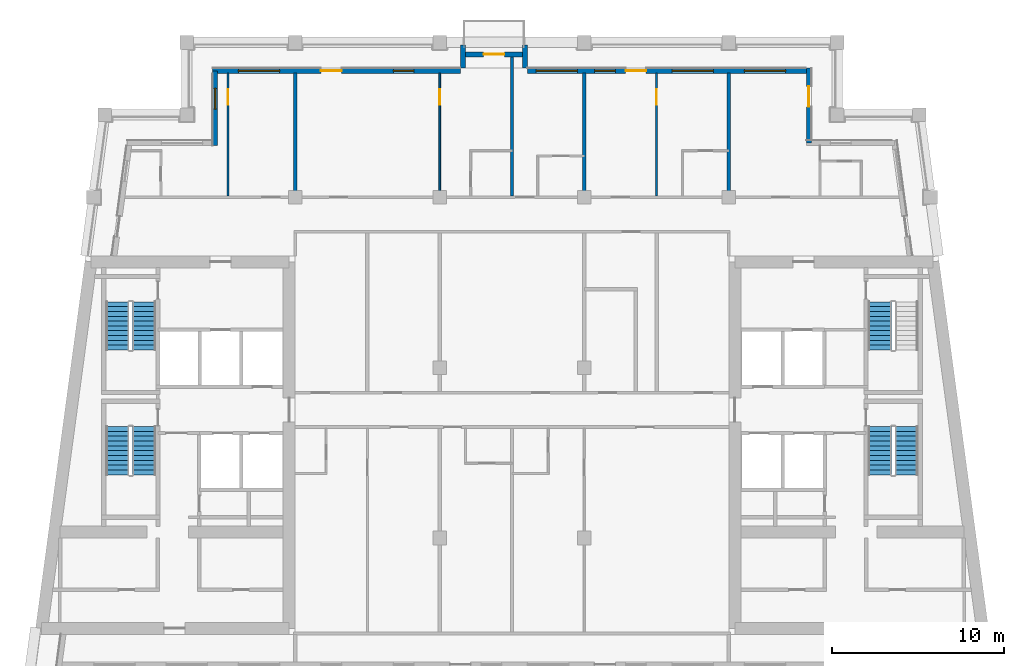
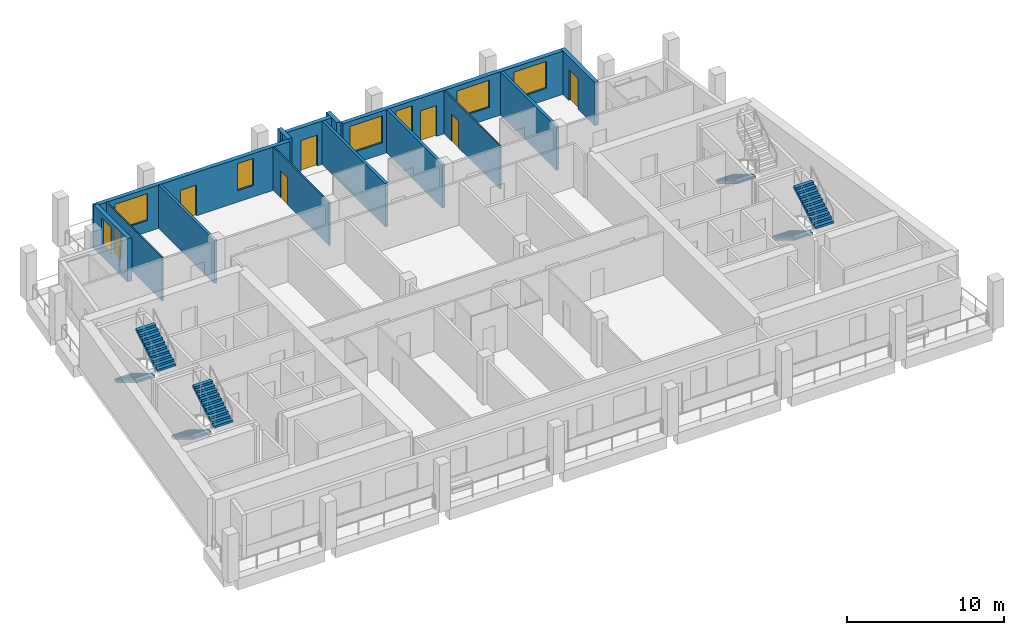
# One storey, part 6 of 14: 14 walls, 7 doors, 7 stair flights, 7 windows, 14 openings, 4 elements without a shape of their own.
"""IFC4 building model written with IfcOpenShell, lengths in metres."""

from ifc_helpers import new_model, si_unit, direction, frame, frame_2d, origin, place, context, subcontext, project, spatial, polyline, rectangle, outline, extrude, material, layer, layer_set, type_object, element, fill, aggregate, save


model = new_model("IFC4")

# Units and contexts
model_context = context("Model", 3, precision=1e-05, world=origin(), true_north=direction((0.0, 1.0)))
body_context = subcontext(model_context, "Body", "Model", "MODEL_VIEW")
ifc_project = project(units=[si_unit("LENGTHUNIT", "METRE"), si_unit("AREAUNIT", "SQUARE_METRE"), si_unit("VOLUMEUNIT", "CUBIC_METRE"), si_unit("PLANEANGLEUNIT", "RADIAN"), si_unit("MASSUNIT", "GRAM", prefix="KILO")], contexts=[model_context])

# Site, building, storey
site_placement = place(None, origin())
site = spatial("IfcSite", under=ifc_project, at=site_placement, CompositionType="ELEMENT")
building_placement = place(site_placement, origin())
building = spatial("IfcBuilding", under=site, at=building_placement, Name="Candeia Pilgrim Tower and Theatre", CompositionType="ELEMENT")
storey_placement = place(building_placement, frame((0.0, 0.0, 266.39990234375)))
storey = spatial("IfcBuildingStorey", under=building, at=storey_placement, Name="L64", CompositionType="ELEMENT", Elevation=266.39990234375)

# Wall, opening, door
ifc_material_1 = material(Name="Ceramic block masonry", Category="masonry")
ifc_layer_1 = layer(ifc_material_1, 0.300048828125)
ifc_layer_set_1 = layer_set([ifc_layer_1], Name="EW1 glazing-line wall 300")
wall_type_1 = type_object("IfcWallType", Name="EW1 glazing-line wall 300", PredefinedType="SOLIDWALL", material=ifc_layer_set_1)
wall_1_placement = place(storey_placement, frame((130.64990234375, 138.949951171875, 0.0), z_axis=(0.0, 0.0, 1.0), x_axis=(0.0, 1.0, 0.0)))
wall_1 = element("IfcWall", 1, at=wall_1_placement, inside=storey, type_object=wall_type_1, Name="External wall L64-4.0", PredefinedType="SOLIDWALL", context=body_context, shape_type="SweptSolid", body=[
    extrude(rectangle(XDim=4.35009765625, YDim=0.300048828125, at=frame_2d((2.175048828125, 0.0))), origin(), (0.0, 0.0, 1.0), 3.380126953125),
])
opening_1_placement = place(wall_1_placement, frame((2.10009765625, 0.0, 0.0)))
opening_1 = element("IfcOpeningElement", 2, at=opening_1_placement, cuts=wall_1, Name="Opening L64-ED608", PredefinedType="OPENING", context=body_context, shape_type="SweptSolid", body=[
    extrude(rectangle(XDim=1.199951171875, YDim=2.39990234375, at=frame_2d((0.60009765625, 1.199951171875))), frame((0.0, 0.16015625, 0.0), z_axis=(0.0, -1.0, 0.0), x_axis=(1.0, 0.0, 0.0)), (0.0, 0.0, 1.0), 0.320068359375),
])
ifc_material_2 = material(Name="Aluminium framed glazed door", Category="aluminium")
door_type_1 = type_object("IfcDoorType", Name="Loggia door 1200x2400", OperationType="DOUBLE_DOOR_SINGLE_SWING", PredefinedType="DOOR", material=ifc_material_2)
door_1_placement = place(opening_1_placement, origin())
door_1 = element("IfcDoor", 3, at=door_1_placement, inside=storey, type_object=door_type_1, Name="Loggia door L64-ED608", OperationType="DOUBLE_DOOR_SINGLE_SWING", OverallHeight=2.39990234375, OverallWidth=1.199951171875, PredefinedType="DOOR", context=body_context, shape_type="SweptSolid", body=[
    extrude(rectangle(XDim=1.199951171875, YDim=2.39990234375, at=frame_2d((0.60009765625, 1.199951171875))), frame((0.0, 0.02490234375, 0.0), z_axis=(0.0, -1.0, 0.0), x_axis=(1.0, 0.0, 0.0)), (0.0, 0.0, 1.0), 0.050048828125),
])
fill(opening_1, door_1)

# Wall, openings, door, windows
wall_2_placement = place(storey_placement, frame((130.64990234375, 143.14990234375, 0.0), z_axis=(0.0, 0.0, 1.0), x_axis=(-1.0, 0.0, 0.0)))
wall_2 = element("IfcWall", 4, at=wall_2_placement, inside=storey, type_object=wall_type_1, Name="External wall L64-5.0", PredefinedType="SOLIDWALL", context=body_context, shape_type="SweptSolid", body=[
    extrude(rectangle(XDim=16.349853515625, YDim=0.300048828125, at=frame_2d((8.1748046875, 0.0))), origin(), (0.0, 0.0, 1.0), 3.380126953125),
])
opening_2_placement = place(wall_2_placement, frame((1.35009765625, 0.0, 0.89990234375)))
opening_2 = element("IfcOpeningElement", 5, at=opening_2_placement, cuts=wall_2, Name="Opening W-A", PredefinedType="OPENING", context=body_context, shape_type="SweptSolid", body=[
    extrude(rectangle(XDim=2.39990234375, YDim=2.10009765625, at=frame_2d((1.199951171875, 1.050048828125))), frame((0.0, 0.16015625, 0.0), z_axis=(0.0, -1.0, 0.0), x_axis=(1.0, 0.0, 0.0)), (0.0, 0.0, 1.0), 0.320068359375),
])
opening_3_placement = place(wall_2_placement, frame((5.550048828125, 0.0, 0.89990234375)))
opening_3 = element("IfcOpeningElement", 6, at=opening_3_placement, cuts=wall_2, Name="Opening W-A", PredefinedType="OPENING", context=body_context, shape_type="SweptSolid", body=[
    extrude(rectangle(XDim=2.39990234375, YDim=2.10009765625, at=frame_2d((1.199951171875, 1.050048828125))), frame((0.0, 0.16015625, 0.0), z_axis=(0.0, -1.0, 0.0), x_axis=(1.0, 0.0, 0.0)), (0.0, 0.0, 1.0), 0.320068359375),
])
opening_4_placement = place(wall_2_placement, frame((9.449951171875, 0.0, 0.0)))
opening_4 = element("IfcOpeningElement", 7, at=opening_4_placement, cuts=wall_2, Name="Opening L64-ED609", PredefinedType="OPENING", context=body_context, shape_type="SweptSolid", body=[
    extrude(rectangle(XDim=1.199951171875, YDim=2.39990234375, at=frame_2d((0.60009765625, 1.199951171875))), frame((0.0, 0.16015625, 0.0), z_axis=(0.0, -1.0, 0.0), x_axis=(1.0, 0.0, 0.0)), (0.0, 0.0, 1.0), 0.320068359375),
])
opening_5_placement = place(wall_2_placement, frame((11.25, 0.0, 0.89990234375)))
opening_5 = element("IfcOpeningElement", 8, at=opening_5_placement, cuts=wall_2, Name="Opening W-B", PredefinedType="OPENING", context=body_context, shape_type="SweptSolid", body=[
    extrude(rectangle(XDim=1.199951171875, YDim=2.10009765625, at=frame_2d((0.60009765625, 1.050048828125))), frame((0.0, 0.16015625, 0.0), z_axis=(0.0, -1.0, 0.0), x_axis=(1.0, 0.0, 0.0)), (0.0, 0.0, 1.0), 0.320068359375),
])
opening_6_placement = place(wall_2_placement, frame((13.449951171875, 0.0, 0.89990234375)))
opening_6 = element("IfcOpeningElement", 9, at=opening_6_placement, cuts=wall_2, Name="Opening W-A", PredefinedType="OPENING", context=body_context, shape_type="SweptSolid", body=[
    extrude(rectangle(XDim=2.39990234375, YDim=2.10009765625, at=frame_2d((1.199951171875, 1.050048828125))), frame((0.0, 0.16015625, 0.0), z_axis=(0.0, -1.0, 0.0), x_axis=(1.0, 0.0, 0.0)), (0.0, 0.0, 1.0), 0.320068359375),
])
door_2_placement = place(opening_4_placement, origin())
door_2 = element("IfcDoor", 10, at=door_2_placement, inside=storey, type_object=door_type_1, Name="Loggia door L64-ED609", OperationType="DOUBLE_DOOR_SINGLE_SWING", OverallHeight=2.39990234375, OverallWidth=1.199951171875, PredefinedType="DOOR", context=body_context, shape_type="SweptSolid", body=[
    extrude(rectangle(XDim=1.199951171875, YDim=2.39990234375, at=frame_2d((0.60009765625, 1.199951171875))), frame((0.0, 0.02490234375, 0.0), z_axis=(0.0, -1.0, 0.0), x_axis=(1.0, 0.0, 0.0)), (0.0, 0.0, 1.0), 0.050048828125),
])
fill(opening_4, door_2)
ifc_material_3 = material(Name="Aluminium framed double glazing", Category="aluminium")
window_type_1 = type_object("IfcWindowType", Name="W-A window 2400x2100", PartitioningType="DOUBLE_PANEL_VERTICAL", PredefinedType="WINDOW", material=ifc_material_3)
window_1_placement = place(opening_2_placement, origin())
window_1 = element("IfcWindow", 11, at=window_1_placement, inside=storey, type_object=window_type_1, Name="Window W-A L64", OverallHeight=2.10009765625, OverallWidth=2.39990234375, PartitioningType="SINGLE_PANEL", PredefinedType="WINDOW", context=body_context, shape_type="SweptSolid", body=[
    extrude(rectangle(XDim=2.39990234375, YDim=2.10009765625, at=frame_2d((1.199951171875, 1.050048828125))), frame((0.0, 0.030029296875, 0.0), z_axis=(0.0, -1.0, 0.0), x_axis=(1.0, 0.0, 0.0)), (0.0, 0.0, 1.0), 0.06005859375),
])
fill(opening_2, window_1)
window_2_placement = place(opening_3_placement, origin())
window_2 = element("IfcWindow", 12, at=window_2_placement, inside=storey, type_object=window_type_1, Name="Window W-A L64", OverallHeight=2.10009765625, OverallWidth=2.39990234375, PartitioningType="SINGLE_PANEL", PredefinedType="WINDOW", context=body_context, shape_type="SweptSolid", body=[
    extrude(rectangle(XDim=2.39990234375, YDim=2.10009765625, at=frame_2d((1.199951171875, 1.050048828125))), frame((0.0, 0.030029296875, 0.0), z_axis=(0.0, -1.0, 0.0), x_axis=(1.0, 0.0, 0.0)), (0.0, 0.0, 1.0), 0.06005859375),
])
fill(opening_3, window_2)
window_3_placement = place(opening_6_placement, origin())
window_3 = element("IfcWindow", 13, at=window_3_placement, inside=storey, type_object=window_type_1, Name="Window W-A L64", OverallHeight=2.10009765625, OverallWidth=2.39990234375, PartitioningType="SINGLE_PANEL", PredefinedType="WINDOW", context=body_context, shape_type="SweptSolid", body=[
    extrude(rectangle(XDim=2.39990234375, YDim=2.10009765625, at=frame_2d((1.199951171875, 1.050048828125))), frame((0.0, 0.030029296875, 0.0), z_axis=(0.0, -1.0, 0.0), x_axis=(1.0, 0.0, 0.0)), (0.0, 0.0, 1.0), 0.06005859375),
])
fill(opening_6, window_3)
window_type_2 = type_object("IfcWindowType", Name="W-B window 1200x2100", PartitioningType="SINGLE_PANEL", PredefinedType="WINDOW", material=ifc_material_3)
window_4_placement = place(opening_5_placement, origin())
window_4 = element("IfcWindow", 14, at=window_4_placement, inside=storey, type_object=window_type_2, Name="Window W-B L64", OverallHeight=2.10009765625, OverallWidth=1.199951171875, PartitioningType="SINGLE_PANEL", PredefinedType="WINDOW", context=body_context, shape_type="SweptSolid", body=[
    extrude(rectangle(XDim=1.199951171875, YDim=2.10009765625, at=frame_2d((0.60009765625, 1.050048828125))), frame((0.0, 0.030029296875, 0.0), z_axis=(0.0, -1.0, 0.0), x_axis=(1.0, 0.0, 0.0)), (0.0, 0.0, 1.0), 0.06005859375),
])
fill(opening_5, window_4)

wall_3_placement = place(storey_placement, frame((110.39990234375, 143.14990234375, 0.0), z_axis=(0.0, 0.0, 1.0), x_axis=(-1.0, 0.0, 0.0)))
wall_3 = element("IfcWall", 15, at=wall_3_placement, inside=storey, type_object=wall_type_1, Name="External wall L64-5.1", PredefinedType="SOLIDWALL", context=body_context, shape_type="SweptSolid", body=[
    extrude(rectangle(XDim=14.39990234375, YDim=0.300048828125, at=frame_2d((7.199951171875, 0.0))), origin(), (0.0, 0.0, 1.0), 3.380126953125),
])
opening_7_placement = place(wall_3_placement, frame((2.699951171875, 0.0, 0.89990234375)))
opening_7 = element("IfcOpeningElement", 16, at=opening_7_placement, cuts=wall_3, Name="Opening W-B", PredefinedType="OPENING", context=body_context, shape_type="SweptSolid", body=[
    extrude(rectangle(XDim=1.199951171875, YDim=2.10009765625, at=frame_2d((0.60009765625, 1.050048828125))), frame((0.0, 0.16015625, 0.0), z_axis=(0.0, -1.0, 0.0), x_axis=(1.0, 0.0, 0.0)), (0.0, 0.0, 1.0), 0.320068359375),
])
opening_8_placement = place(wall_3_placement, frame((6.89990234375, 0.0, 0.0)))
opening_8 = element("IfcOpeningElement", 17, at=opening_8_placement, cuts=wall_3, Name="Opening L64-ED610", PredefinedType="OPENING", context=body_context, shape_type="SweptSolid", body=[
    extrude(rectangle(XDim=1.199951171875, YDim=2.39990234375, at=frame_2d((0.60009765625, 1.199951171875))), frame((0.0, 0.16015625, 0.0), z_axis=(0.0, -1.0, 0.0), x_axis=(1.0, 0.0, 0.0)), (0.0, 0.0, 1.0), 0.320068359375),
])
opening_9_placement = place(wall_3_placement, frame((10.5, 0.0, 0.89990234375)))
opening_9 = element("IfcOpeningElement", 18, at=opening_9_placement, cuts=wall_3, Name="Opening W-A", PredefinedType="OPENING", context=body_context, shape_type="SweptSolid", body=[
    extrude(rectangle(XDim=2.39990234375, YDim=2.10009765625, at=frame_2d((1.199951171875, 1.050048828125))), frame((0.0, 0.16015625, 0.0), z_axis=(0.0, -1.0, 0.0), x_axis=(1.0, 0.0, 0.0)), (0.0, 0.0, 1.0), 0.320068359375),
])
door_3_placement = place(opening_8_placement, origin())
door_3 = element("IfcDoor", 19, at=door_3_placement, inside=storey, type_object=door_type_1, Name="Loggia door L64-ED610", OperationType="DOUBLE_DOOR_SINGLE_SWING", OverallHeight=2.39990234375, OverallWidth=1.199951171875, PredefinedType="DOOR", context=body_context, shape_type="SweptSolid", body=[
    extrude(rectangle(XDim=1.199951171875, YDim=2.39990234375, at=frame_2d((0.60009765625, 1.199951171875))), frame((0.0, 0.02490234375, 0.0), z_axis=(0.0, -1.0, 0.0), x_axis=(1.0, 0.0, 0.0)), (0.0, 0.0, 1.0), 0.050048828125),
])
fill(opening_8, door_3)
window_5_placement = place(opening_9_placement, origin())
window_5 = element("IfcWindow", 20, at=window_5_placement, inside=storey, type_object=window_type_1, Name="Window W-A L64", OverallHeight=2.10009765625, OverallWidth=2.39990234375, PartitioningType="SINGLE_PANEL", PredefinedType="WINDOW", context=body_context, shape_type="SweptSolid", body=[
    extrude(rectangle(XDim=2.39990234375, YDim=2.10009765625, at=frame_2d((1.199951171875, 1.050048828125))), frame((0.0, 0.030029296875, 0.0), z_axis=(0.0, -1.0, 0.0), x_axis=(1.0, 0.0, 0.0)), (0.0, 0.0, 1.0), 0.06005859375),
])
fill(opening_9, window_5)
window_6_placement = place(opening_7_placement, origin())
window_6 = element("IfcWindow", 21, at=window_6_placement, inside=storey, type_object=window_type_2, Name="Window W-B L64", OverallHeight=2.10009765625, OverallWidth=1.199951171875, PartitioningType="SINGLE_PANEL", PredefinedType="WINDOW", context=body_context, shape_type="SweptSolid", body=[
    extrude(rectangle(XDim=1.199951171875, YDim=2.10009765625, at=frame_2d((0.60009765625, 1.050048828125))), frame((0.0, 0.030029296875, 0.0), z_axis=(0.0, -1.0, 0.0), x_axis=(1.0, 0.0, 0.0)), (0.0, 0.0, 1.0), 0.06005859375),
])
fill(opening_7, window_6)

# Wall, opening, window
wall_4_placement = place(storey_placement, frame((96.14990234375, 143.14990234375, 0.0), z_axis=(0.0, 0.0, 1.0), x_axis=(0.0, -1.0, 0.0)))
wall_4 = element("IfcWall", 22, at=wall_4_placement, inside=storey, type_object=wall_type_1, Name="External wall L64-6.0", PredefinedType="SOLIDWALL", context=body_context, shape_type="SweptSolid", body=[
    extrude(rectangle(XDim=4.349853515625, YDim=0.300048828125, at=frame_2d((2.1748046875, 0.0))), origin(), (0.0, 0.0, 1.0), 3.380126953125),
])
opening_10_placement = place(wall_4_placement, frame((1.02490234375, 0.0, 0.89990234375)))
opening_10 = element("IfcOpeningElement", 23, at=opening_10_placement, cuts=wall_4, Name="Opening W-B", PredefinedType="OPENING", context=body_context, shape_type="SweptSolid", body=[
    extrude(rectangle(XDim=1.199951171875, YDim=2.10009765625, at=frame_2d((0.60009765625, 1.050048828125))), frame((0.0, 0.16015625, 0.0), z_axis=(0.0, -1.0, 0.0), x_axis=(1.0, 0.0, 0.0)), (0.0, 0.0, 1.0), 0.320068359375),
])
window_7_placement = place(opening_10_placement, origin())
window_7 = element("IfcWindow", 24, at=window_7_placement, inside=storey, type_object=window_type_2, Name="Window W-B L64", OverallHeight=2.10009765625, OverallWidth=1.199951171875, PartitioningType="SINGLE_PANEL", PredefinedType="WINDOW", context=body_context, shape_type="SweptSolid", body=[
    extrude(rectangle(XDim=1.199951171875, YDim=2.10009765625, at=frame_2d((0.60009765625, 1.050048828125))), frame((0.0, 0.030029296875, 0.0), z_axis=(0.0, -1.0, 0.0), x_axis=(1.0, 0.0, 0.0)), (0.0, 0.0, 1.0), 0.06005859375),
])
fill(opening_10, window_7)

# Walls
ifc_layer_2 = layer(ifc_material_1, 0.300048828125)
ifc_layer_set_2 = layer_set([ifc_layer_2], Name="EW2 entrance infill wall 300")
wall_type_2 = type_object("IfcWallType", Name="EW2 entrance infill wall 300", PredefinedType="SOLIDWALL", material=ifc_layer_set_2)
for number, where, z_axis, x_axis, name in (
    (25, (114.14990234375, 143.300048828125, 0.0), (0.0, 0.0, 1.0), (0.0, 1.0, 0.0), "Alcove wall L64"),
    (26, (110.550048828125, 143.300048828125, 0.0), (0.0, 0.0, 1.0), (0.0, 1.0, 0.0), "Alcove wall L64"),
):
    element("IfcWall", number, at=place(storey_placement, frame(where, z_axis=z_axis, x_axis=x_axis)), inside=storey, type_object=wall_type_2, Name=name, PredefinedType="SOLIDWALL", context=body_context, shape_type="SweptSolid", body=[
        extrude(rectangle(XDim=1.349853515625, YDim=0.300048828125, at=frame_2d((0.6748046875, 0.0))), origin(), (0.0, 0.0, 1.0), 3.380126953125),
    ])

# Wall, opening, door
wall_5_placement = place(storey_placement, frame((114.300048828125, 144.10009765625, 0.0), z_axis=(0.0, 0.0, 1.0), x_axis=(-1.0, 0.0, 0.0)))
wall_5 = element("IfcWall", 27, at=wall_5_placement, inside=storey, type_object=wall_type_2, Name="Alcove wall L64", PredefinedType="SOLIDWALL", context=body_context, shape_type="SweptSolid", body=[
    extrude(rectangle(XDim=3.900146484375, YDim=0.300048828125, at=frame_2d((1.9501953125, 0.0))), origin(), (0.0, 0.0, 1.0), 3.380126953125),
])
opening_11_placement = place(wall_5_placement, frame((1.35009765625, 0.0, 0.0)))
opening_11 = element("IfcOpeningElement", 28, at=opening_11_placement, cuts=wall_5, Name="Opening L64-ED611", PredefinedType="OPENING", context=body_context, shape_type="SweptSolid", body=[
    extrude(rectangle(XDim=1.199951171875, YDim=2.39990234375, at=frame_2d((0.60009765625, 1.199951171875))), frame((0.0, 0.16015625, 0.0), z_axis=(0.0, -1.0, 0.0), x_axis=(1.0, 0.0, 0.0)), (0.0, 0.0, 1.0), 0.320068359375),
])
door_4_placement = place(opening_11_placement, origin())
door_4 = element("IfcDoor", 29, at=door_4_placement, inside=storey, type_object=door_type_1, Name="Balcony door L64-ED611", OperationType="DOUBLE_DOOR_SINGLE_SWING", OverallHeight=2.39990234375, OverallWidth=1.199951171875, PredefinedType="DOOR", context=body_context, shape_type="SweptSolid", body=[
    extrude(rectangle(XDim=1.199951171875, YDim=2.39990234375, at=frame_2d((0.60009765625, 1.199951171875))), frame((0.0, 0.02490234375, 0.0), z_axis=(0.0, -1.0, 0.0), x_axis=(1.0, 0.0, 0.0)), (0.0, 0.0, 1.0), 0.050048828125),
])
fill(opening_11, door_4)

ifc_material_4 = material(Name="Gypsum board partition on steel studs", Category="steel")
ifc_layer_3 = layer(ifc_material_4, 0.10009765625)
ifc_layer_set_3 = layer_set([ifc_layer_3], Name="PW-100 room partition")
wall_type_3 = type_object("IfcWallType", Name="PW-100 room partition", PredefinedType="PARTITIONING", material=ifc_layer_set_3)
wall_6_placement = place(storey_placement, frame((96.89990234375, 135.875, 0.0), z_axis=(0.0, 0.0, 1.0), x_axis=(0.0, 1.0, 0.0)))
wall_6 = element("IfcWall", 30, at=wall_6_placement, inside=storey, type_object=wall_type_3, Name="Room partition L64-055", PredefinedType="PARTITIONING", context=body_context, shape_type="SweptSolid", body=[
    extrude(rectangle(XDim=7.135009765625, YDim=0.10009765625, at=frame_2d((3.5673828125, 0.0))), origin(), (0.0, 0.0, 1.0), 3.380126953125),
])
opening_12_placement = place(wall_6_placement, frame((5.2900390625, 0.0, 0.0)))
opening_12 = element("IfcOpeningElement", 31, at=opening_12_placement, cuts=wall_6, Name="Opening L64-D022", PredefinedType="OPENING", context=body_context, shape_type="SweptSolid", body=[
    extrude(rectangle(XDim=0.89990234375, YDim=2.10009765625, at=frame_2d((0.449951171875, 1.050048828125))), frame((0.0, 0.06005859375, 0.0), z_axis=(0.0, -1.0, 0.0), x_axis=(1.0, 0.0, 0.0)), (0.0, 0.0, 1.0), 0.1201171875),
])
ifc_material_5 = material(Name="Timber door leaf", Category="wood")
door_type_2 = type_object("IfcDoorType", Name="D-900", OperationType="NOTDEFINED", PredefinedType="DOOR", material=ifc_material_5)
door_5_placement = place(opening_12_placement, origin())
door_5 = element("IfcDoor", 32, at=door_5_placement, inside=storey, type_object=door_type_2, Name="Door L64-D022", OperationType="SINGLE_SWING_RIGHT", OverallHeight=2.10009765625, OverallWidth=0.89990234375, PredefinedType="DOOR", context=body_context, shape_type="SweptSolid", body=[
    extrude(rectangle(XDim=0.89990234375, YDim=2.10009765625, at=frame_2d((0.449951171875, 1.050048828125))), frame((0.0, 0.02490234375, 0.0), z_axis=(0.0, -1.0, 0.0), x_axis=(1.0, 0.0, 0.0)), (0.0, 0.0, 1.0), 0.050048828125),
])
fill(opening_12, door_5)

wall_7_placement = place(storey_placement, frame((109.199951171875, 135.875, 0.0), z_axis=(0.0, 0.0, 1.0), x_axis=(0.0, 1.0, 0.0)))
wall_7 = element("IfcWall", 33, at=wall_7_placement, inside=storey, type_object=wall_type_3, Name="Room partition L64-065", PredefinedType="PARTITIONING", context=body_context, shape_type="SweptSolid", body=[
    extrude(rectangle(XDim=7.135009765625, YDim=0.10009765625, at=frame_2d((3.5673828125, 0.0))), origin(), (0.0, 0.0, 1.0), 3.380126953125),
])
opening_13_placement = place(wall_7_placement, frame((5.2900390625, 0.0, 0.0)))
opening_13 = element("IfcOpeningElement", 34, at=opening_13_placement, cuts=wall_7, Name="Opening L64-D025", PredefinedType="OPENING", context=body_context, shape_type="SweptSolid", body=[
    extrude(rectangle(XDim=0.89990234375, YDim=2.10009765625, at=frame_2d((0.449951171875, 1.050048828125))), frame((0.0, 0.06005859375, 0.0), z_axis=(0.0, -1.0, 0.0), x_axis=(1.0, 0.0, 0.0)), (0.0, 0.0, 1.0), 0.1201171875),
])
door_6_placement = place(opening_13_placement, origin())
door_6 = element("IfcDoor", 35, at=door_6_placement, inside=storey, type_object=door_type_2, Name="Door L64-D025", OperationType="SINGLE_SWING_LEFT", OverallHeight=2.10009765625, OverallWidth=0.89990234375, PredefinedType="DOOR", context=body_context, shape_type="SweptSolid", body=[
    extrude(rectangle(XDim=0.89990234375, YDim=2.10009765625, at=frame_2d((0.449951171875, 1.050048828125))), frame((0.0, 0.02490234375, 0.0), z_axis=(0.0, -1.0, 0.0), x_axis=(1.0, 0.0, 0.0)), (0.0, 0.0, 1.0), 0.050048828125),
])
fill(opening_13, door_6)

wall_8_placement = place(storey_placement, frame((121.800048828125, 135.875, 0.0), z_axis=(0.0, 0.0, 1.0), x_axis=(0.0, 1.0, 0.0)))
wall_8 = element("IfcWall", 36, at=wall_8_placement, inside=storey, type_object=wall_type_3, Name="Room partition L64-078", PredefinedType="PARTITIONING", context=body_context, shape_type="SweptSolid", body=[
    extrude(rectangle(XDim=7.135009765625, YDim=0.10009765625, at=frame_2d((3.5673828125, 0.0))), origin(), (0.0, 0.0, 1.0), 3.380126953125),
])
opening_14_placement = place(wall_8_placement, frame((5.2900390625, 0.0, 0.0)))
opening_14 = element("IfcOpeningElement", 37, at=opening_14_placement, cuts=wall_8, Name="Opening L64-D030", PredefinedType="OPENING", context=body_context, shape_type="SweptSolid", body=[
    extrude(rectangle(XDim=0.89990234375, YDim=2.10009765625, at=frame_2d((0.449951171875, 1.050048828125))), frame((0.0, 0.06005859375, 0.0), z_axis=(0.0, -1.0, 0.0), x_axis=(1.0, 0.0, 0.0)), (0.0, 0.0, 1.0), 0.1201171875),
])
door_7_placement = place(opening_14_placement, origin())
door_7 = element("IfcDoor", 38, at=door_7_placement, inside=storey, type_object=door_type_2, Name="Door L64-D030", OperationType="SINGLE_SWING_RIGHT", OverallHeight=2.10009765625, OverallWidth=0.89990234375, PredefinedType="DOOR", context=body_context, shape_type="SweptSolid", body=[
    extrude(rectangle(XDim=0.89990234375, YDim=2.10009765625, at=frame_2d((0.449951171875, 1.050048828125))), frame((0.0, 0.02490234375, 0.0), z_axis=(0.0, -1.0, 0.0), x_axis=(1.0, 0.0, 0.0)), (0.0, 0.0, 1.0), 0.050048828125),
])
fill(opening_14, door_7)

# Walls
ifc_layer_4 = layer(ifc_material_4, 0.199951171875)
ifc_layer_set_4 = layer_set([ifc_layer_4], Name="PW-200 party wall")
wall_type_4 = type_object("IfcWallType", Name="PW-200 party wall", PredefinedType="PARTITIONING", material=ifc_layer_set_4)
wall_9_placement = place(storey_placement, frame((100.800048828125, 135.875, 0.0), z_axis=(0.0, 0.0, 1.0), x_axis=(0.0, 1.0, 0.0)))
element("IfcWall", 39, at=wall_9_placement, inside=storey, type_object=wall_type_4, Name="Party wall L64-060", PredefinedType="PARTITIONING", context=body_context, shape_type="SweptSolid", body=[
    extrude(rectangle(XDim=7.135009765625, YDim=0.199951171875, at=frame_2d((3.5673828125, 0.0))), origin(), (0.0, 0.0, 1.0), 3.380126953125),
])
wall_10_placement = place(storey_placement, frame((113.39990234375, 135.875, 0.0), z_axis=(0.0, 0.0, 1.0), x_axis=(0.0, 1.0, 0.0)))
element("IfcWall", 40, at=wall_10_placement, inside=storey, type_object=wall_type_4, Name="Party wall L64-071", PredefinedType="PARTITIONING", context=body_context, shape_type="SweptSolid", body=[
    extrude(rectangle(XDim=8.0849609375, YDim=0.199951171875, at=frame_2d((4.04248046875, 0.0))), origin(), (0.0, 0.0, 1.0), 3.380126953125),
])
for number, where, z_axis, x_axis, name in (
    (41, (117.60009765625, 135.875, 0.0), (0.0, 0.0, 1.0), (0.0, 1.0, 0.0), "Party wall L64-076"),
    (42, (126.0, 135.875, 0.0), (0.0, 0.0, 1.0), (0.0, 1.0, 0.0), "Party wall L64-082"),
):
    element("IfcWall", number, at=place(storey_placement, frame(where, z_axis=z_axis, x_axis=x_axis)), inside=storey, type_object=wall_type_4, Name=name, PredefinedType="PARTITIONING", context=body_context, shape_type="SweptSolid", body=[
        extrude(rectangle(XDim=7.135009765625, YDim=0.199951171875, at=frame_2d((3.5673828125, 0.0))), origin(), (0.0, 0.0, 1.0), 3.380126953125),
    ])

# Stair, stair flights
ifc_material_6 = material(Name="Concrete C40/50", Category="concrete")
stair_type = type_object("IfcStairType", Name="ST-TWR dog-leg escape stair", PredefinedType="HALF_TURN_STAIR", material=ifc_material_6)
stair_1_placement = place(storey_placement, origin())
stair_1 = element("IfcStair", 43, at=stair_1_placement, inside=storey, type_object=stair_type, Name="L64 Escape stair ST1", PredefinedType="HALF_TURN_STAIR")
stair_flight_type = type_object("IfcStairFlightType", Name="SFL-RC stair flight", PredefinedType="STRAIGHT", material=ifc_material_6)
stair_flight_1_placement = place(storey_placement, frame((90.47705078125, 122.47509765625, 0.0), z_axis=(0.0, 0.0, 1.0), x_axis=(0.0, -1.0, 0.0)))
stair_flight_1 = element("IfcStairFlight", 44, at=stair_flight_1_placement, type_object=stair_flight_type, Name="ST1 flight 1", NumberOfRisers=11, NumberOfTreads=10, PredefinedType="STRAIGHT", RiserHeight=0.168181818, TreadLength=0.28, context=body_context, shape_type="SweptSolid", body=[
    extrude(outline(polyline([(0.0, 0.0), (0.0, 0.168212890625), (0.280029296875, 0.168212890625), (0.280029296875, 0.33642578125), (0.56005859375, 0.33642578125), (0.56005859375, 0.504638671875), (0.840087890625, 0.504638671875), (0.840087890625, 0.672607421875), (1.1201171875, 0.672607421875), (1.1201171875, 0.8408203125), (1.39990234375, 0.8408203125), (1.39990234375, 1.009033203125), (1.679931640625, 1.009033203125), (1.679931640625, 1.17724609375), (1.9599609375, 1.17724609375), (1.9599609375, 1.345458984375), (2.239990234375, 1.345458984375), (2.239990234375, 1.513671875), (2.52001953125, 1.513671875), (2.52001953125, 1.681884765625), (2.800048828125, 1.681884765625), (2.800048828125, 1.85009765625), (2.800048828125, 1.5068359375), (0.291015625, 0.0), (0.0, 0.0)])), frame((0.0, 0.675048828125, 0.0), z_axis=(0.0, -1.0, 0.0), x_axis=(1.0, 0.0, 0.0)), (0.0, 0.0, 1.0), 1.35009765625),
])
stair_flight_2_placement = place(storey_placement, frame((92.027099609375, 119.675048828125, 1.85009765625), z_axis=(0.0, 0.0, 1.0), x_axis=(0.0, 1.0, 0.0)))
stair_flight_2 = element("IfcStairFlight", 45, at=stair_flight_2_placement, type_object=stair_flight_type, Name="ST1 flight 2", NumberOfRisers=11, NumberOfTreads=10, PredefinedType="STRAIGHT", RiserHeight=0.168181818, TreadLength=0.28, context=body_context, shape_type="SweptSolid", body=[
    extrude(outline(polyline([(0.0, 0.0), (0.0, 0.168212890625), (0.280029296875, 0.168212890625), (0.280029296875, 0.33642578125), (0.56005859375, 0.33642578125), (0.56005859375, 0.504638671875), (0.840087890625, 0.504638671875), (0.840087890625, 0.672607421875), (1.1201171875, 0.672607421875), (1.1201171875, 0.8408203125), (1.39990234375, 0.8408203125), (1.39990234375, 1.009033203125), (1.679931640625, 1.009033203125), (1.679931640625, 1.17724609375), (1.9599609375, 1.17724609375), (1.9599609375, 1.345458984375), (2.239990234375, 1.345458984375), (2.239990234375, 1.513671875), (2.52001953125, 1.513671875), (2.52001953125, 1.681884765625), (2.800048828125, 1.681884765625), (2.800048828125, 1.85009765625), (2.800048828125, 1.5068359375), (0.291015625, 0.0), (0.0, 0.0)])), frame((0.0, 0.675048828125, 0.0), z_axis=(0.0, -1.0, 0.0), x_axis=(1.0, 0.0, 0.0)), (0.0, 0.0, 1.0), 1.35009765625),
])
aggregate(stair_1, [stair_flight_1, stair_flight_2])

stair_2_placement = place(storey_placement, origin())
stair_2 = element("IfcStair", 46, at=stair_2_placement, inside=storey, type_object=stair_type, Name="L64 Escape stair ST2", PredefinedType="HALF_TURN_STAIR")
stair_flight_3_placement = place(storey_placement, frame((90.47705078125, 129.72509765625, 0.0), z_axis=(0.0, 0.0, 1.0), x_axis=(0.0, -1.0, 0.0)))
stair_flight_3 = element("IfcStairFlight", 47, at=stair_flight_3_placement, type_object=stair_flight_type, Name="ST2 flight 1", NumberOfRisers=11, NumberOfTreads=10, PredefinedType="STRAIGHT", RiserHeight=0.168181818, TreadLength=0.28, context=body_context, shape_type="SweptSolid", body=[
    extrude(outline(polyline([(0.0, 0.0), (0.0, 0.168212890625), (0.280029296875, 0.168212890625), (0.280029296875, 0.33642578125), (0.56005859375, 0.33642578125), (0.56005859375, 0.504638671875), (0.840087890625, 0.504638671875), (0.840087890625, 0.672607421875), (1.1201171875, 0.672607421875), (1.1201171875, 0.8408203125), (1.39990234375, 0.8408203125), (1.39990234375, 1.009033203125), (1.679931640625, 1.009033203125), (1.679931640625, 1.17724609375), (1.9599609375, 1.17724609375), (1.9599609375, 1.345458984375), (2.239990234375, 1.345458984375), (2.239990234375, 1.513671875), (2.52001953125, 1.513671875), (2.52001953125, 1.681884765625), (2.800048828125, 1.681884765625), (2.800048828125, 1.85009765625), (2.800048828125, 1.5068359375), (0.291015625, 0.0), (0.0, 0.0)])), frame((0.0, 0.675048828125, 0.0), z_axis=(0.0, -1.0, 0.0), x_axis=(1.0, 0.0, 0.0)), (0.0, 0.0, 1.0), 1.35009765625),
])
stair_flight_4_placement = place(storey_placement, frame((92.027099609375, 126.925048828125, 1.85009765625), z_axis=(0.0, 0.0, 1.0), x_axis=(0.0, 1.0, 0.0)))
stair_flight_4 = element("IfcStairFlight", 48, at=stair_flight_4_placement, type_object=stair_flight_type, Name="ST2 flight 2", NumberOfRisers=11, NumberOfTreads=10, PredefinedType="STRAIGHT", RiserHeight=0.168181818, TreadLength=0.28, context=body_context, shape_type="SweptSolid", body=[
    extrude(outline(polyline([(0.0, 0.0), (0.0, 0.168212890625), (0.280029296875, 0.168212890625), (0.280029296875, 0.33642578125), (0.56005859375, 0.33642578125), (0.56005859375, 0.504638671875), (0.840087890625, 0.504638671875), (0.840087890625, 0.672607421875), (1.1201171875, 0.672607421875), (1.1201171875, 0.8408203125), (1.39990234375, 0.8408203125), (1.39990234375, 1.009033203125), (1.679931640625, 1.009033203125), (1.679931640625, 1.17724609375), (1.9599609375, 1.17724609375), (1.9599609375, 1.345458984375), (2.239990234375, 1.345458984375), (2.239990234375, 1.513671875), (2.52001953125, 1.513671875), (2.52001953125, 1.681884765625), (2.800048828125, 1.681884765625), (2.800048828125, 1.85009765625), (2.800048828125, 1.5068359375), (0.291015625, 0.0), (0.0, 0.0)])), frame((0.0, 0.675048828125, 0.0), z_axis=(0.0, -1.0, 0.0), x_axis=(1.0, 0.0, 0.0)), (0.0, 0.0, 1.0), 1.35009765625),
])
aggregate(stair_2, [stair_flight_3, stair_flight_4])

stair_3_placement = place(storey_placement, origin())
stair_3 = element("IfcStair", 49, at=stair_3_placement, inside=storey, type_object=stair_type, Name="L64 Escape stair ST3", PredefinedType="HALF_TURN_STAIR")
stair_flight_5_placement = place(storey_placement, frame((134.77294921875, 122.47509765625, 0.0), z_axis=(0.0, 0.0, 1.0), x_axis=(0.0, -1.0, 0.0)))
stair_flight_5 = element("IfcStairFlight", 50, at=stair_flight_5_placement, type_object=stair_flight_type, Name="ST3 flight 1", NumberOfRisers=11, NumberOfTreads=10, PredefinedType="STRAIGHT", RiserHeight=0.168181818, TreadLength=0.28, context=body_context, shape_type="SweptSolid", body=[
    extrude(outline(polyline([(0.0, 0.0), (0.0, 0.168212890625), (0.280029296875, 0.168212890625), (0.280029296875, 0.33642578125), (0.56005859375, 0.33642578125), (0.56005859375, 0.504638671875), (0.840087890625, 0.504638671875), (0.840087890625, 0.672607421875), (1.1201171875, 0.672607421875), (1.1201171875, 0.8408203125), (1.39990234375, 0.8408203125), (1.39990234375, 1.009033203125), (1.679931640625, 1.009033203125), (1.679931640625, 1.17724609375), (1.9599609375, 1.17724609375), (1.9599609375, 1.345458984375), (2.239990234375, 1.345458984375), (2.239990234375, 1.513671875), (2.52001953125, 1.513671875), (2.52001953125, 1.681884765625), (2.800048828125, 1.681884765625), (2.800048828125, 1.85009765625), (2.800048828125, 1.5068359375), (0.291015625, 0.0), (0.0, 0.0)])), frame((0.0, 0.675048828125, 0.0), z_axis=(0.0, -1.0, 0.0), x_axis=(1.0, 0.0, 0.0)), (0.0, 0.0, 1.0), 1.35009765625),
])
stair_flight_6_placement = place(storey_placement, frame((136.322998046875, 119.675048828125, 1.85009765625), z_axis=(0.0, 0.0, 1.0), x_axis=(0.0, 1.0, 0.0)))
stair_flight_6 = element("IfcStairFlight", 51, at=stair_flight_6_placement, type_object=stair_flight_type, Name="ST3 flight 2", NumberOfRisers=11, NumberOfTreads=10, PredefinedType="STRAIGHT", RiserHeight=0.168181818, TreadLength=0.28, context=body_context, shape_type="SweptSolid", body=[
    extrude(outline(polyline([(0.0, 0.0), (0.0, 0.168212890625), (0.280029296875, 0.168212890625), (0.280029296875, 0.33642578125), (0.56005859375, 0.33642578125), (0.56005859375, 0.504638671875), (0.840087890625, 0.504638671875), (0.840087890625, 0.672607421875), (1.1201171875, 0.672607421875), (1.1201171875, 0.8408203125), (1.39990234375, 0.8408203125), (1.39990234375, 1.009033203125), (1.679931640625, 1.009033203125), (1.679931640625, 1.17724609375), (1.9599609375, 1.17724609375), (1.9599609375, 1.345458984375), (2.239990234375, 1.345458984375), (2.239990234375, 1.513671875), (2.52001953125, 1.513671875), (2.52001953125, 1.681884765625), (2.800048828125, 1.681884765625), (2.800048828125, 1.85009765625), (2.800048828125, 1.5068359375), (0.291015625, 0.0), (0.0, 0.0)])), frame((0.0, 0.675048828125, 0.0), z_axis=(0.0, -1.0, 0.0), x_axis=(1.0, 0.0, 0.0)), (0.0, 0.0, 1.0), 1.35009765625),
])
aggregate(stair_3, [stair_flight_5, stair_flight_6])

# Stair, stair flight
stair_4_placement = place(storey_placement, origin())
stair_4 = element("IfcStair", 52, at=stair_4_placement, inside=storey, type_object=stair_type, Name="L64 Escape stair ST4", PredefinedType="HALF_TURN_STAIR")
stair_flight_7_placement = place(storey_placement, frame((134.77294921875, 129.72509765625, 0.0), z_axis=(0.0, 0.0, 1.0), x_axis=(0.0, -1.0, 0.0)))
stair_flight_7 = element("IfcStairFlight", 53, at=stair_flight_7_placement, type_object=stair_flight_type, Name="ST4 flight 1", NumberOfRisers=11, NumberOfTreads=10, PredefinedType="STRAIGHT", RiserHeight=0.168181818, TreadLength=0.28, context=body_context, shape_type="SweptSolid", body=[
    extrude(outline(polyline([(0.0, 0.0), (0.0, 0.168212890625), (0.280029296875, 0.168212890625), (0.280029296875, 0.33642578125), (0.56005859375, 0.33642578125), (0.56005859375, 0.504638671875), (0.840087890625, 0.504638671875), (0.840087890625, 0.672607421875), (1.1201171875, 0.672607421875), (1.1201171875, 0.8408203125), (1.39990234375, 0.8408203125), (1.39990234375, 1.009033203125), (1.679931640625, 1.009033203125), (1.679931640625, 1.17724609375), (1.9599609375, 1.17724609375), (1.9599609375, 1.345458984375), (2.239990234375, 1.345458984375), (2.239990234375, 1.513671875), (2.52001953125, 1.513671875), (2.52001953125, 1.681884765625), (2.800048828125, 1.681884765625), (2.800048828125, 1.85009765625), (2.800048828125, 1.5068359375), (0.291015625, 0.0), (0.0, 0.0)])), frame((0.0, 0.675048828125, 0.0), z_axis=(0.0, -1.0, 0.0), x_axis=(1.0, 0.0, 0.0)), (0.0, 0.0, 1.0), 1.35009765625),
])
aggregate(stair_4, [stair_flight_7])

save(model, "model.ifc")
